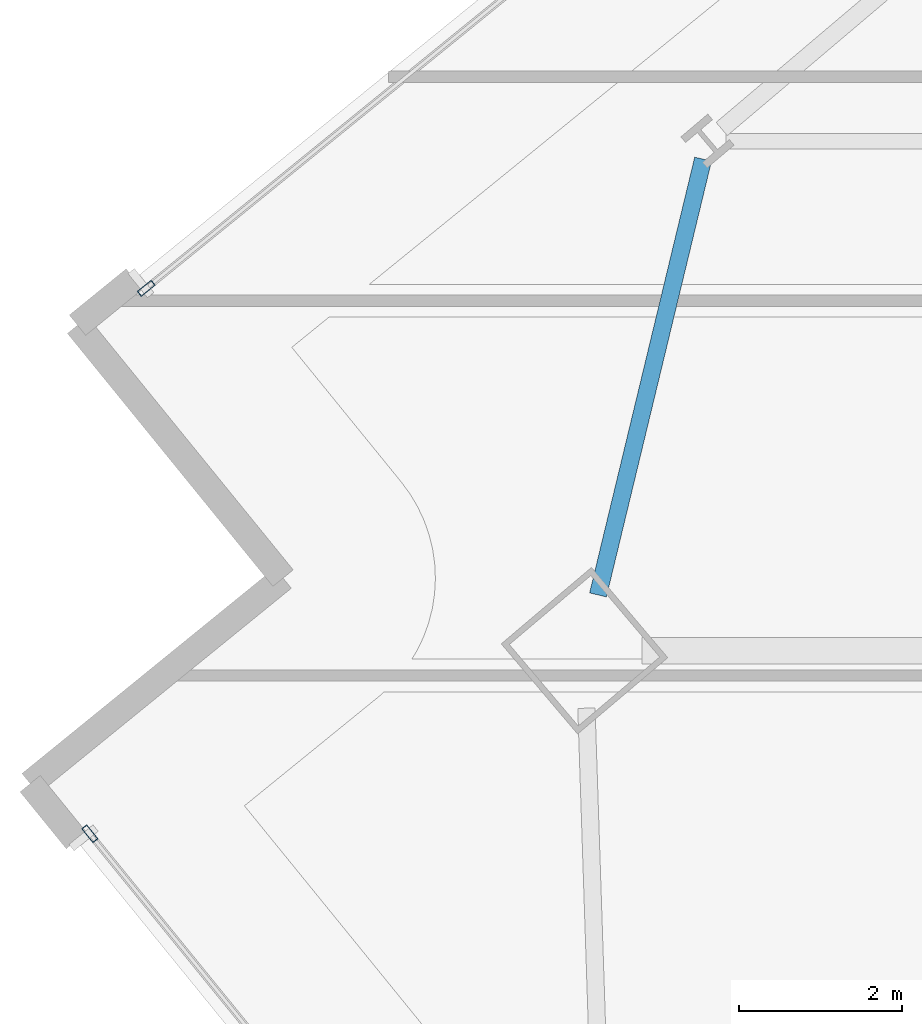
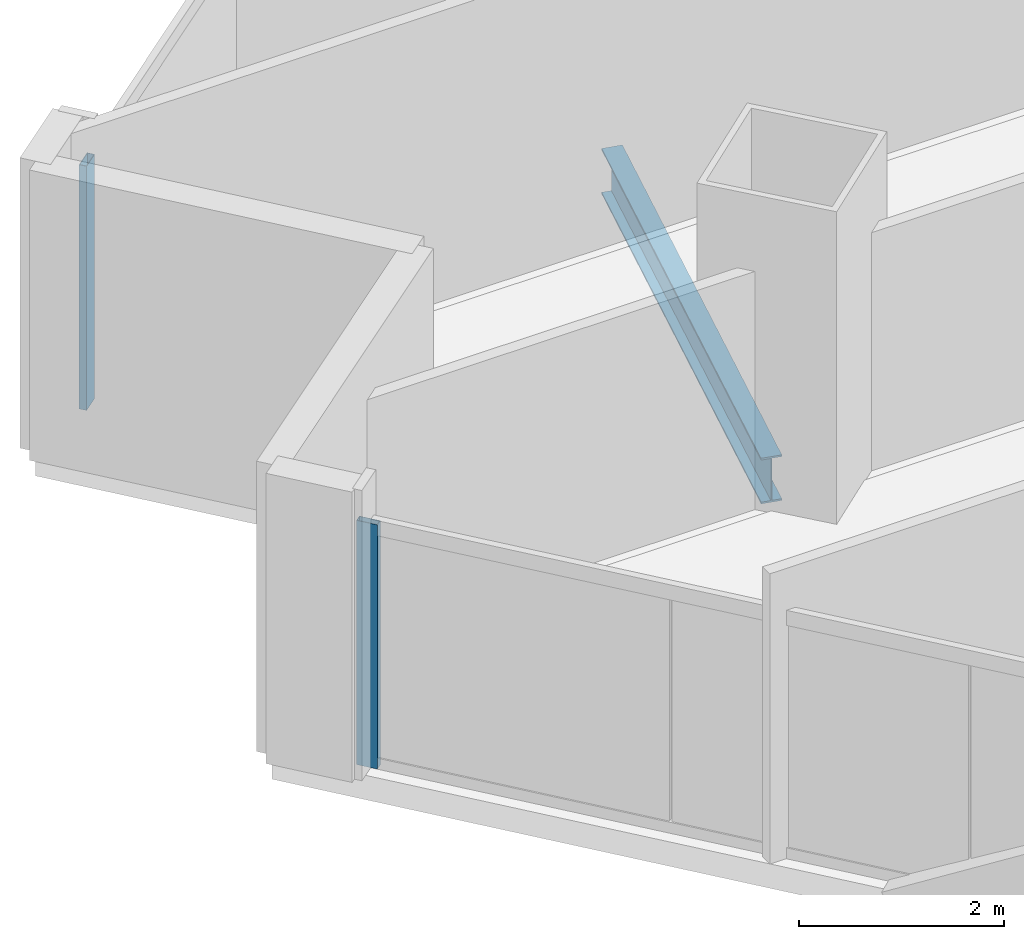
# One storey, part 13 of 36: 2 members, 1 beam, 2 elements without a shape of their own.
"""IFC4 building model written with IfcOpenShell, lengths in metres."""

from ifc_helpers import new_model, si_unit, direction, frame, origin, origin_2d, place, context, subcontext, project, spatial, hollow_rectangle, i_section, extrude, material, material_profile, profile_set, type_object, element, aggregate, save


model = new_model("IFC4")

# Units and contexts
model_context = context("Model", 3, precision=1e-05, world=origin(), true_north=direction((0.0, 1.0)))
body_context = subcontext(model_context, "Body", "Model", "MODEL_VIEW")
ifc_project = project(units=[si_unit("LENGTHUNIT", "METRE"), si_unit("AREAUNIT", "SQUARE_METRE"), si_unit("VOLUMEUNIT", "CUBIC_METRE"), si_unit("PLANEANGLEUNIT", "RADIAN"), si_unit("MASSUNIT", "GRAM", prefix="KILO")], contexts=[model_context])

# Site, building, storey
site_placement = place(None, origin())
site = spatial("IfcSite", under=ifc_project, at=site_placement, CompositionType="ELEMENT")
building_placement = place(site_placement, origin())
building = spatial("IfcBuilding", under=site, at=building_placement, Name="Haldenkirk Collegiate Tower", CompositionType="ELEMENT")
storey_placement = place(building_placement, frame((0.0, 0.0, 159.449951171875)))
storey = spatial("IfcBuildingStorey", under=building, at=storey_placement, Name="L39", CompositionType="ELEMENT", Elevation=159.449951171875)

# Beam
ifc_material_1 = material(Name="Steel ASTM A992 Grade 50", Category="steel")
ifc_material_profile_1 = material_profile(ifc_material_1, i_section(OverallWidth=0.2119140625, OverallDepth=0.5439453125, WebThickness=0.01318359375, FlangeThickness=0.021240234375, at=origin_2d()), Name="W21X83")
ifc_profile_set_1 = profile_set([ifc_material_profile_1], Name="Steel ASTM A992 Grade 50")
beam_type = type_object("IfcBeamType", Name="BM-SPANDREL-W21X83", PredefinedType="SPANDREL", material=ifc_profile_set_1)
beam_placement = place(storey_placement, frame((12.21630859375, 33.137451171875, -0.56201171875), z_axis=(-0.234477140293, -0.972121633686, 0.0), x_axis=(0.972121633686, -0.234477140293, 0.0)))
element("IfcBeam", 1, at=beam_placement, inside=storey, type_object=beam_type, Name="L39 perimeter spandrel beam 12", PredefinedType="SPANDREL", context=body_context, shape_type="SweptSolid", body=[
    extrude(i_section(OverallWidth=0.2119140625, OverallDepth=0.5439453125, WebThickness=0.01318359375, FlangeThickness=0.021240234375, at=origin_2d()), origin(), (0.0, 0.0, 1.0), 5.501708984375),
])

# Curtain wall, member
ifc_material_2 = material(Name="Anodised architectural bronze aluminium", Category="aluminium")
curtain_wall_type = type_object("IfcCurtainWallType", Name="CW-SYS1-CONVEX-LOW", PredefinedType="USERDEFINED", material=ifc_material_2)
curtain_wall_1_placement = place(storey_placement, origin())
curtain_wall_1 = element("IfcCurtainWall", 2, at=curtain_wall_1_placement, inside=storey, type_object=curtain_wall_type, Name="L39 Lower tower convex bronze-framed unitised curtain wall", ObjectType="UNITISED CURTAIN WALL", PredefinedType="USERDEFINED")
ifc_material_profile_2 = material_profile(ifc_material_2, hollow_rectangle(XDim=0.080078125, YDim=0.219970703125, WallThickness=0.0048828125, at=origin_2d()), Name="CW-MUL-1A")
ifc_profile_set_2 = profile_set([ifc_material_profile_2], Name="Anodised architectural bronze aluminium")
member_type = type_object("IfcMemberType", Name="CW-MUL-1A", PredefinedType="MULLION", material=ifc_profile_set_2)
member_1_placement = place(storey_placement, frame((5.380615234375, 31.552734375, 0.0), z_axis=(0.0, 0.0, 1.0), x_axis=(-0.630673850131, 0.776047997717, 0.0)))
member_1 = element("IfcMember", 3, at=member_1_placement, type_object=member_type, Name="CW-1A mullion 1", PredefinedType="MULLION", context=body_context, shape_type="SweptSolid", body=[
    extrude(hollow_rectangle(XDim=0.080078125, YDim=0.219970703125, WallThickness=0.0048828125, at=origin_2d()), origin(), (0.0, 0.0, 1.0), 2.9111328125),
])
aggregate(curtain_wall_1, [member_1])

curtain_wall_2_placement = place(storey_placement, origin())
curtain_wall_2 = element("IfcCurtainWall", 4, at=curtain_wall_2_placement, inside=storey, type_object=curtain_wall_type, Name="L39 Lower tower convex bronze-framed unitised curtain wall", ObjectType="UNITISED CURTAIN WALL", PredefinedType="USERDEFINED")
member_2_placement = place(storey_placement, frame((4.688720703125, 24.856689453125, 0.0), z_axis=(0.0, 0.0, 1.0), x_axis=(-0.776047587352, -0.630674355087, 0.0)))
member_2 = element("IfcMember", 5, at=member_2_placement, type_object=member_type, Name="CW-1A mullion 5", PredefinedType="MULLION", context=body_context, shape_type="SweptSolid", body=[
    extrude(hollow_rectangle(XDim=0.080078125, YDim=0.219970703125, WallThickness=0.0048828125, at=origin_2d()), origin(), (0.0, 0.0, 1.0), 2.9111328125),
])
aggregate(curtain_wall_2, [member_2])

save(model, "model.ifc")
